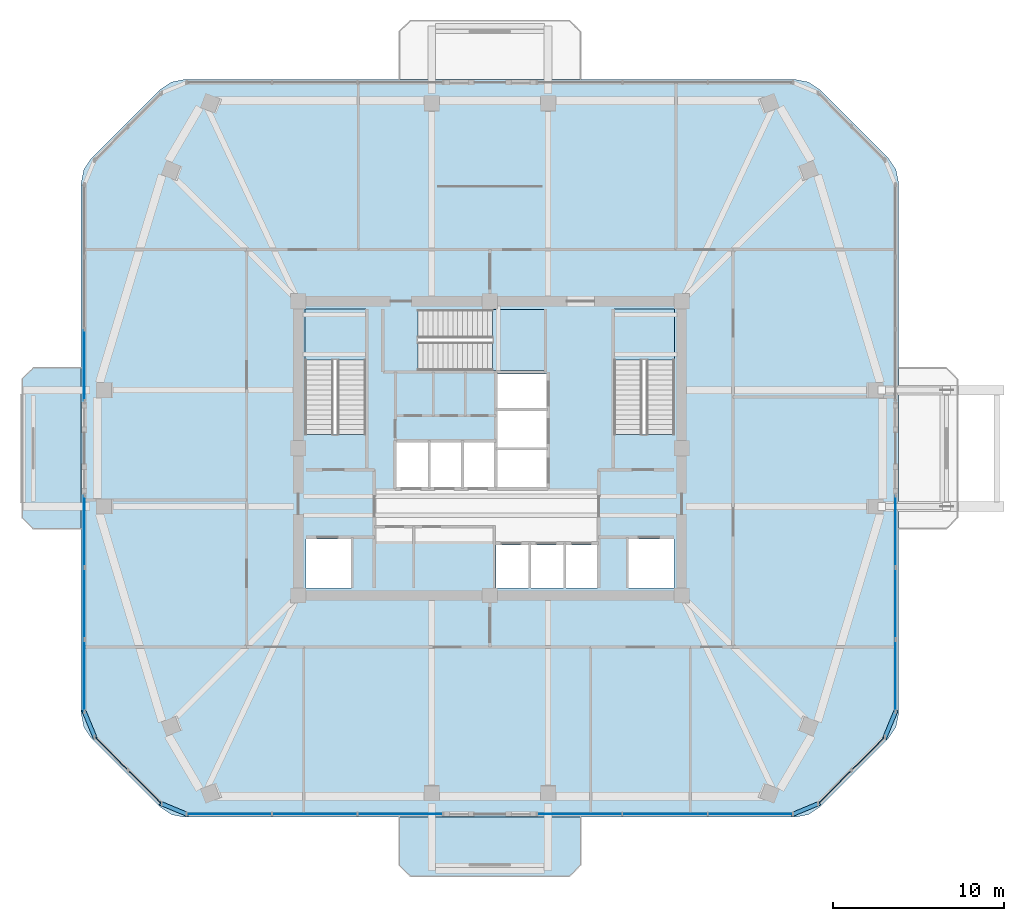
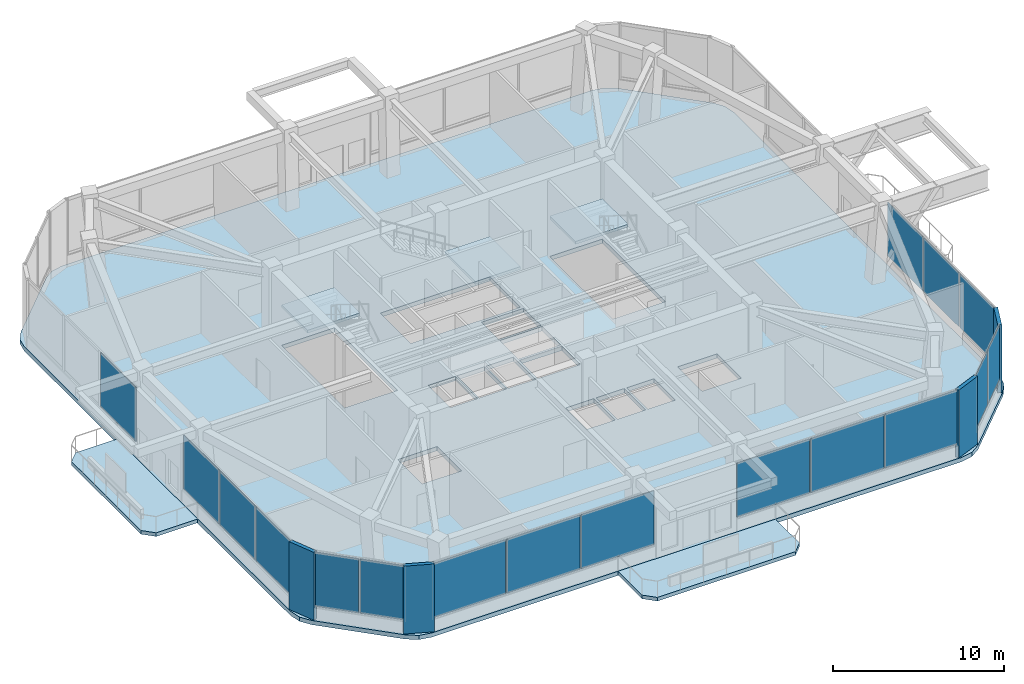
# One storey, part 6 of 14: 21 plates, 6 slabs, 10 elements without a shape of their own.
"""IFC4 building model written with IfcOpenShell, lengths in metres."""

from ifc_helpers import new_model, si_unit, derived_unit, direction, frame, origin, origin_2d, place, context, subcontext, project, spatial, polyline, rectangle, outline, extrude, material, layer, layer_set, type_object, element, aggregate, save


model = new_model("IFC4")

# Units and contexts
model_context = context("Model", 3, precision=1e-05, world=origin(), true_north=direction((0.0, 1.0)))
body_context = subcontext(model_context, "Body", "Model", "MODEL_VIEW")
ifc_project = project(units=[si_unit("LENGTHUNIT", "METRE"), si_unit("AREAUNIT", "SQUARE_METRE"), si_unit("VOLUMEUNIT", "CUBIC_METRE"), si_unit("PLANEANGLEUNIT", "RADIAN"), si_unit("MASSUNIT", "GRAM", prefix="KILO"), derived_unit("THERMALTRANSMITTANCEUNIT", [(si_unit("POWERUNIT", "WATT"), 1), (si_unit("LENGTHUNIT", "METRE"), -2), (si_unit("THERMODYNAMICTEMPERATUREUNIT", "KELVIN"), -1)])], contexts=[model_context])

# Site, building, storey
site_placement = place(None, origin())
site = spatial("IfcSite", under=ifc_project, at=site_placement, CompositionType="ELEMENT")
building_placement = place(site_placement, origin())
building = spatial("IfcBuilding", under=site, at=building_placement, Name="Koralith Skygarden Medical Center", CompositionType="ELEMENT")
storey_placement = place(building_placement, frame((0.0, 0.0, 182.699951171875)))
storey = spatial("IfcBuildingStorey", under=building, at=storey_placement, Name="L47", CompositionType="ELEMENT", Elevation=182.699951171875)

# Curtain wall, plates
ifc_material_1 = material(Name="Clear Laminated Glass", Category="glass")
curtain_wall_type = type_object("IfcCurtainWallType", Name="CW-7 Sky-Garden & Pool Conservatory Wall", PredefinedType="NOTDEFINED", material=ifc_material_1)
curtain_wall_1_placement = place(storey_placement, origin())
curtain_wall_1 = element("IfcCurtainWall", 1, at=curtain_wall_1_placement, inside=storey, type_object=curtain_wall_type, Name="Curtain Wall CW-L47-S-L", PredefinedType="NOTDEFINED")
ifc_layer_1 = layer(ifc_material_1, 0.0419921875)
ifc_layer_set_1 = layer_set([ifc_layer_1], Name="Clear Laminated Glass")
plate_type_1 = type_object("IfcPlateType", Name="CW-7 Hurricane Laminated IGU Panel 42", PredefinedType="CURTAIN_PANEL", material=ifc_layer_set_1)
plate_1_placement = place(storey_placement, frame((21.77490234375, 4.529052734375, 0.919921875), z_axis=(0.0, 0.0, 1.0), x_axis=(1.0, 0.0, 0.0)))
plate_1 = element("IfcPlate", 2, at=plate_1_placement, type_object=plate_type_1, Name="CW-L47-S-L Glazed Panel 1", PredefinedType="CURTAIN_PANEL", context=body_context, shape_type="SweptSolid", body=[
    extrude(rectangle(XDim=4.904052734375, YDim=0.0419921875, at=origin_2d()), origin(), (0.0, 0.0, 1.0), 3.840087890625),
])
plate_2_placement = place(storey_placement, frame((26.76806640625, 4.529052734375, 0.919921875), z_axis=(0.0, 0.0, 1.0), x_axis=(1.0, 0.0, 0.0)))
plate_2 = element("IfcPlate", 3, at=plate_2_placement, type_object=plate_type_1, Name="CW-L47-S-L Glazed Panel 2", PredefinedType="CURTAIN_PANEL", context=body_context, shape_type="SweptSolid", body=[
    extrude(rectangle(XDim=4.904052734375, YDim=0.0419921875, at=origin_2d()), origin(), (0.0, 0.0, 1.0), 3.840087890625),
])
plate_3_placement = place(storey_placement, frame((31.761962890625, 4.529052734375, 0.919921875), z_axis=(0.0, 0.0, 1.0), x_axis=(1.0, 0.0, 0.0)))
plate_3 = element("IfcPlate", 4, at=plate_3_placement, type_object=plate_type_1, Name="CW-L47-S-L Glazed Panel 3", PredefinedType="CURTAIN_PANEL", context=body_context, shape_type="SweptSolid", body=[
    extrude(rectangle(XDim=4.904052734375, YDim=0.0419921875, at=origin_2d()), origin(), (0.0, 0.0, 1.0), 3.840087890625),
])
aggregate(curtain_wall_1, [plate_1, plate_2, plate_3])

curtain_wall_2_placement = place(storey_placement, origin())
curtain_wall_2 = element("IfcCurtainWall", 5, at=curtain_wall_2_placement, inside=storey, type_object=curtain_wall_type, Name="Curtain Wall CW-L47-S-R", PredefinedType="NOTDEFINED")
plate_4_placement = place(storey_placement, frame((42.236083984375, 4.529052734375, 0.919921875), z_axis=(0.0, 0.0, 1.0), x_axis=(1.0, 0.0, 0.0)))
plate_4 = element("IfcPlate", 6, at=plate_4_placement, type_object=plate_type_1, Name="CW-L47-S-R Glazed Panel 1", PredefinedType="CURTAIN_PANEL", context=body_context, shape_type="SweptSolid", body=[
    extrude(rectangle(XDim=4.904052734375, YDim=0.0419921875, at=origin_2d()), origin(), (0.0, 0.0, 1.0), 3.840087890625),
])
plate_5_placement = place(storey_placement, frame((47.22998046875, 4.529052734375, 0.919921875), z_axis=(0.0, 0.0, 1.0), x_axis=(1.0, 0.0, 0.0)))
plate_5 = element("IfcPlate", 7, at=plate_5_placement, type_object=plate_type_1, Name="CW-L47-S-R Glazed Panel 2", PredefinedType="CURTAIN_PANEL", context=body_context, shape_type="SweptSolid", body=[
    extrude(rectangle(XDim=4.904052734375, YDim=0.0419921875, at=origin_2d()), origin(), (0.0, 0.0, 1.0), 3.840087890625),
])
plate_6_placement = place(storey_placement, frame((52.22509765625, 4.529052734375, 0.919921875), z_axis=(0.0, 0.0, 1.0), x_axis=(1.0, 0.0, 0.0)))
plate_6 = element("IfcPlate", 8, at=plate_6_placement, type_object=plate_type_1, Name="CW-L47-S-R Glazed Panel 3", PredefinedType="CURTAIN_PANEL", context=body_context, shape_type="SweptSolid", body=[
    extrude(rectangle(XDim=4.904052734375, YDim=0.0419921875, at=origin_2d()), origin(), (0.0, 0.0, 1.0), 3.840087890625),
])
aggregate(curtain_wall_2, [plate_4, plate_5, plate_6])

curtain_wall_3_placement = place(storey_placement, origin())
curtain_wall_3 = element("IfcCurtainWall", 9, at=curtain_wall_3_placement, inside=storey, type_object=curtain_wall_type, Name="Curtain Wall CW-L47-SE", PredefinedType="NOTDEFINED")
plate_7_placement = place(storey_placement, frame((57.154052734375, 6.112060546875, 0.919921875), z_axis=(0.0, 0.0, 1.0), x_axis=(0.707106781187, 0.707106781187, 0.0)))
plate_7 = element("IfcPlate", 10, at=plate_7_placement, type_object=plate_type_1, Name="CW-L47-SE Glazed Panel 1", PredefinedType="CURTAIN_PANEL", context=body_context, shape_type="SweptSolid", body=[
    extrude(rectangle(XDim=2.68408203125, YDim=0.0419921875, at=origin_2d()), origin(), (0.0, 0.0, 1.0), 3.840087890625),
])
plate_8_placement = place(storey_placement, frame((59.114990234375, 8.072998046875, 0.919921875), z_axis=(0.0, 0.0, 1.0), x_axis=(0.707106781187, 0.707106781187, 0.0)))
plate_8 = element("IfcPlate", 11, at=plate_8_placement, type_object=plate_type_1, Name="CW-L47-SE Glazed Panel 2", PredefinedType="CURTAIN_PANEL", context=body_context, shape_type="SweptSolid", body=[
    extrude(rectangle(XDim=2.68408203125, YDim=0.0419921875, at=origin_2d()), origin(), (0.0, 0.0, 1.0), 3.840087890625),
])
aggregate(curtain_wall_3, [plate_7, plate_8])

curtain_wall_4_placement = place(storey_placement, origin())
curtain_wall_4 = element("IfcCurtainWall", 12, at=curtain_wall_4_placement, inside=storey, type_object=curtain_wall_type, Name="Curtain Wall CW-L47-E-L", PredefinedType="NOTDEFINED")
plate_9_placement = place(storey_placement, frame((60.697021484375, 12.614013671875, 0.919921875), z_axis=(0.0, 0.0, 1.0), x_axis=(0.0, 1.0, 0.0)))
plate_9 = element("IfcPlate", 13, at=plate_9_placement, type_object=plate_type_1, Name="CW-L47-E-L Glazed Panel 1", PredefinedType="CURTAIN_PANEL", context=body_context, shape_type="SweptSolid", body=[
    extrude(rectangle(XDim=4.1279296875, YDim=0.0419921875, at=origin_2d()), origin(), (0.0, 0.0, 1.0), 3.840087890625),
])
plate_10_placement = place(storey_placement, frame((60.697021484375, 16.83203125, 0.919921875), z_axis=(0.0, 0.0, 1.0), x_axis=(0.0, 1.0, 0.0)))
plate_10 = element("IfcPlate", 14, at=plate_10_placement, type_object=plate_type_1, Name="CW-L47-E-L Glazed Panel 2", PredefinedType="CURTAIN_PANEL", context=body_context, shape_type="SweptSolid", body=[
    extrude(rectangle(XDim=4.1279296875, YDim=0.0419921875, at=origin_2d()), origin(), (0.0, 0.0, 1.0), 3.840087890625),
])
plate_11_placement = place(storey_placement, frame((60.697021484375, 21.051025390625, 0.919921875), z_axis=(0.0, 0.0, 1.0), x_axis=(0.0, 1.0, 0.0)))
plate_11 = element("IfcPlate", 15, at=plate_11_placement, type_object=plate_type_1, Name="CW-L47-E-L Glazed Panel 3", PredefinedType="CURTAIN_PANEL", context=body_context, shape_type="SweptSolid", body=[
    extrude(rectangle(XDim=4.1279296875, YDim=0.0419921875, at=origin_2d()), origin(), (0.0, 0.0, 1.0), 3.840087890625),
])
aggregate(curtain_wall_4, [plate_9, plate_10, plate_11])

# Curtain wall, plate
curtain_wall_5_placement = place(storey_placement, origin())
curtain_wall_5 = element("IfcCurtainWall", 16, at=curtain_wall_5_placement, inside=storey, type_object=curtain_wall_type, Name="Curtain Wall CW-L47-W-L", PredefinedType="NOTDEFINED")
plate_12_placement = place(storey_placement, frame((13.302978515625, 30.7490234375, 0.919921875), z_axis=(0.0, 0.0, 1.0), x_axis=(0.0, -1.0, 0.0)))
plate_12 = element("IfcPlate", 17, at=plate_12_placement, type_object=plate_type_1, Name="CW-L47-W-L Glazed Panel 3", PredefinedType="CURTAIN_PANEL", context=body_context, shape_type="SweptSolid", body=[
    extrude(rectangle(XDim=4.1279296875, YDim=0.0419921875, at=origin_2d()), origin(), (0.0, 0.0, 1.0), 3.840087890625),
])
aggregate(curtain_wall_5, [plate_12])

# Curtain wall, plates
curtain_wall_6_placement = place(storey_placement, origin())
curtain_wall_6 = element("IfcCurtainWall", 18, at=curtain_wall_6_placement, inside=storey, type_object=curtain_wall_type, Name="Curtain Wall CW-L47-W-R", PredefinedType="NOTDEFINED")
plate_13_placement = place(storey_placement, frame((13.302978515625, 21.051025390625, 0.919921875), z_axis=(0.0, 0.0, 1.0), x_axis=(0.0, -1.0, 0.0)))
plate_13 = element("IfcPlate", 19, at=plate_13_placement, type_object=plate_type_1, Name="CW-L47-W-R Glazed Panel 1", PredefinedType="CURTAIN_PANEL", context=body_context, shape_type="SweptSolid", body=[
    extrude(rectangle(XDim=4.1279296875, YDim=0.0419921875, at=origin_2d()), origin(), (0.0, 0.0, 1.0), 3.840087890625),
])
plate_14_placement = place(storey_placement, frame((13.302978515625, 16.8330078125, 0.919921875), z_axis=(0.0, 0.0, 1.0), x_axis=(0.0, -1.0, 0.0)))
plate_14 = element("IfcPlate", 20, at=plate_14_placement, type_object=plate_type_1, Name="CW-L47-W-R Glazed Panel 2", PredefinedType="CURTAIN_PANEL", context=body_context, shape_type="SweptSolid", body=[
    extrude(rectangle(XDim=4.1279296875, YDim=0.0419921875, at=origin_2d()), origin(), (0.0, 0.0, 1.0), 3.840087890625),
])
plate_15_placement = place(storey_placement, frame((13.302978515625, 12.614013671875, 0.919921875), z_axis=(0.0, 0.0, 1.0), x_axis=(0.0, -1.0, 0.0)))
plate_15 = element("IfcPlate", 21, at=plate_15_placement, type_object=plate_type_1, Name="CW-L47-W-R Glazed Panel 3", PredefinedType="CURTAIN_PANEL", context=body_context, shape_type="SweptSolid", body=[
    extrude(rectangle(XDim=4.1279296875, YDim=0.0419921875, at=origin_2d()), origin(), (0.0, 0.0, 1.0), 3.840087890625),
])
aggregate(curtain_wall_6, [plate_13, plate_14, plate_15])

curtain_wall_7_placement = place(storey_placement, origin())
curtain_wall_7 = element("IfcCurtainWall", 22, at=curtain_wall_7_placement, inside=storey, type_object=curtain_wall_type, Name="Curtain Wall CW-L47-SW", PredefinedType="NOTDEFINED")
plate_16_placement = place(storey_placement, frame((14.885009765625, 8.072998046875, 0.919921875), z_axis=(0.0, 0.0, 1.0), x_axis=(0.707106781187, -0.707106781187, 0.0)))
plate_16 = element("IfcPlate", 23, at=plate_16_placement, type_object=plate_type_1, Name="CW-L47-SW Glazed Panel 1", PredefinedType="CURTAIN_PANEL", context=body_context, shape_type="SweptSolid", body=[
    extrude(rectangle(XDim=2.68408203125, YDim=0.0419921875, at=origin_2d()), origin(), (0.0, 0.0, 1.0), 3.840087890625),
])
plate_17_placement = place(storey_placement, frame((16.845947265625, 6.112060546875, 0.919921875), z_axis=(0.0, 0.0, 1.0), x_axis=(0.707106781187, -0.707106781187, 0.0)))
plate_17 = element("IfcPlate", 24, at=plate_17_placement, type_object=plate_type_1, Name="CW-L47-SW Glazed Panel 2", PredefinedType="CURTAIN_PANEL", context=body_context, shape_type="SweptSolid", body=[
    extrude(rectangle(XDim=2.68408203125, YDim=0.0419921875, at=origin_2d()), origin(), (0.0, 0.0, 1.0), 3.840087890625),
])
aggregate(curtain_wall_7, [plate_16, plate_17])

# Slabs
ifc_material_2 = material(Name="Concrete C45/55", Category="concrete")
ifc_layer_2 = layer(ifc_material_2, 0.260009765625)
ifc_layer_set_2 = layer_set([ifc_layer_2], Name="Concrete C45/55")
slab_type_1 = type_object("IfcSlabType", Name="Cantilevered Planted Balcony Slab 260", PredefinedType="FLOOR", material=ifc_layer_set_2)
slab_1_placement = place(storey_placement, frame((0.0, 0.0, -0.260009765625)))
element("IfcSlab", 25, at=slab_1_placement, inside=storey, type_object=slab_type_1, Name="L47 S Planted Sky-Garden Balcony Slab", PredefinedType="FLOOR", context=body_context, shape_type="SweptSolid", body=[
    extrude(outline(polyline([(32.35009765625, 0.89892578125), (41.64990234375, 0.89892578125), (42.300048828125, 1.549072265625), (42.300048828125, 4.34912109375), (31.699951171875, 4.34912109375), (31.699951171875, 1.549072265625), (32.35009765625, 0.89892578125)])), origin(), (0.0, 0.0, 1.0), 0.260009765625),
])
slab_2_placement = place(storey_placement, frame((0.0, 0.0, -0.260009765625)))
element("IfcSlab", 26, at=slab_2_placement, inside=storey, type_object=slab_type_1, Name="L47 W Planted Sky-Garden Balcony Slab", PredefinedType="FLOOR", context=body_context, shape_type="SweptSolid", body=[
    extrude(outline(polyline([(10.322998046875, 21.199951171875), (13.123046875, 21.199951171875), (13.123046875, 30.60009765625), (10.322998046875, 30.60009765625), (9.673095703125, 29.949951171875), (9.673095703125, 21.85009765625), (10.322998046875, 21.199951171875)])), origin(), (0.0, 0.0, 1.0), 0.260009765625),
])

# Stair, slab
stair_type = type_object("IfcStairType", Name="Core Exit Dogleg Concrete Stair", PredefinedType="HALF_TURN_STAIR", material=ifc_material_2)
stair_1_placement = place(storey_placement, origin())
stair_1 = element("IfcStair", 27, at=stair_1_placement, inside=storey, type_object=stair_type, Name="L47 Smokeproof Exit Stair ST1", PredefinedType="HALF_TURN_STAIR")
ifc_layer_3 = layer(ifc_material_2, 0.199951171875)
ifc_layer_set_3 = layer_set([ifc_layer_3], Name="Concrete C45/55")
slab_type_2 = type_object("IfcSlabType", Name="Core Exit Concrete Stair Landing 200", PredefinedType="LANDING", material=ifc_layer_set_3)
slab_3_placement = place(storey_placement, frame((0.0, 0.0, 2.679931640625)))
slab_3 = element("IfcSlab", 28, at=slab_3_placement, type_object=slab_type_2, Name="ST1 landing 1", PredefinedType="LANDING", context=body_context, shape_type="SweptSolid", body=[
    extrude(outline(polyline([(29.75, 31.050048828125), (29.75, 34.050048828125), (26.199951171875, 34.050048828125), (26.199951171875, 31.050048828125), (29.75, 31.050048828125)])), origin(), (0.0, 0.0, 1.0), 0.2001953125),
])
aggregate(stair_1, [slab_3])

stair_2_placement = place(storey_placement, origin())
stair_2 = element("IfcStair", 29, at=stair_2_placement, inside=storey, type_object=stair_type, Name="L47 Smokeproof Exit Stair ST2", PredefinedType="HALF_TURN_STAIR")
slab_4_placement = place(storey_placement, frame((0.0, 0.0, 2.679931640625)))
slab_4 = element("IfcSlab", 30, at=slab_4_placement, type_object=slab_type_2, Name="ST2 landing 1", PredefinedType="LANDING", context=body_context, shape_type="SweptSolid", body=[
    extrude(outline(polyline([(47.800048828125, 31.050048828125), (47.800048828125, 34.050048828125), (44.25, 34.050048828125), (44.25, 31.050048828125), (47.800048828125, 31.050048828125)])), origin(), (0.0, 0.0, 1.0), 0.2001953125),
])
aggregate(stair_2, [slab_4])

stair_3_placement = place(storey_placement, origin())
stair_3 = element("IfcStair", 31, at=stair_3_placement, inside=storey, type_object=stair_type, Name="L47 Smokeproof Exit Stair ST3", PredefinedType="HALF_TURN_STAIR")
slab_5_placement = place(storey_placement, frame((0.0, 0.0, 2.679931640625)))
slab_5 = element("IfcSlab", 32, at=slab_5_placement, type_object=slab_type_2, Name="ST3 landing 1", PredefinedType="LANDING", context=body_context, shape_type="SweptSolid", body=[
    extrude(outline(polyline([(37.14990234375, 30.449951171875), (40.199951171875, 30.449951171875), (40.199951171875, 34.0), (37.14990234375, 34.0), (37.14990234375, 30.449951171875)])), origin(), (0.0, 0.0, 1.0), 0.2001953125),
])
aggregate(stair_3, [slab_5])

# Slab
ifc_layer_4 = layer(ifc_material_2, 0.300048828125)
ifc_layer_set_4 = layer_set([ifc_layer_4], Name="Concrete C45/55")
slab_type_3 = type_object("IfcSlabType", Name="Podium & Diagnostic Stiffened Slab 300", PredefinedType="FLOOR", material=ifc_layer_set_4)
slab_6_placement = place(storey_placement, frame((0.0, 0.0, -0.300048828125)))
element("IfcSlab", 33, at=slab_6_placement, inside=storey, type_object=slab_type_3, Name="Level L47 Structural Floor Slab", PredefinedType="FLOOR", context=body_context, shape_type="SweptSolid", body=[
    extrude(outline(polyline([(17.737060546875, 4.93505859375), (18.385986328125, 4.501953125), (19.15087890625, 4.34912109375), (54.84912109375, 4.34912109375), (55.614013671875, 4.501953125), (56.262939453125, 4.93505859375), (60.291015625, 8.964111328125), (60.72509765625, 9.613037109375), (60.876953125, 10.3779296875), (60.876953125, 41.422119140625), (60.72509765625, 42.18701171875), (60.291015625, 42.8359375), (56.262939453125, 46.864990234375), (55.614013671875, 47.298095703125), (54.84912109375, 47.449951171875), (19.15087890625, 47.449951171875), (18.385986328125, 47.298095703125), (17.737060546875, 46.864990234375), (13.708984375, 42.8359375), (13.27490234375, 42.18701171875), (13.123046875, 41.422119140625), (13.123046875, 10.3779296875), (13.27490234375, 9.613037109375), (13.708984375, 8.964111328125), (17.737060546875, 4.93505859375)]), holes=[polyline([(26.199951171875, 26.705078125), (29.75, 26.705078125), (29.75, 34.050048828125), (26.199951171875, 34.050048828125), (26.199951171875, 26.705078125)]), polyline([(44.25, 26.705078125), (47.800048828125, 26.705078125), (47.800048828125, 34.050048828125), (44.25, 34.050048828125), (44.25, 26.705078125)]), polyline([(32.804931640625, 30.449951171875), (40.199951171875, 30.449951171875), (40.199951171875, 34.0), (32.804931640625, 34.0), (32.804931640625, 30.449951171875)]), polyline([(26.25, 17.75), (28.89990234375, 17.75), (28.89990234375, 20.60009765625), (26.25, 20.60009765625), (26.25, 17.75)]), polyline([(45.10009765625, 17.75), (47.75, 17.75), (47.75, 20.60009765625), (45.10009765625, 20.60009765625), (45.10009765625, 17.75)]), polyline([(37.35009765625, 17.75), (39.25, 17.75), (39.25, 20.25), (37.35009765625, 20.25), (37.35009765625, 17.75)]), polyline([(39.39990234375, 17.75), (41.300048828125, 17.75), (41.300048828125, 20.25), (39.39990234375, 20.25), (39.39990234375, 17.75)]), polyline([(41.449951171875, 17.75), (43.300048828125, 17.75), (43.300048828125, 20.25), (41.449951171875, 20.25), (41.449951171875, 17.75)]), polyline([(31.550048828125, 23.64990234375), (33.39990234375, 23.64990234375), (33.39990234375, 26.25), (31.550048828125, 26.25), (31.550048828125, 23.64990234375)]), polyline([(33.5, 23.64990234375), (35.35009765625, 23.64990234375), (35.35009765625, 26.25), (33.5, 26.25), (33.5, 23.64990234375)]), polyline([(35.449951171875, 23.64990234375), (37.300048828125, 23.64990234375), (37.300048828125, 26.25), (35.449951171875, 26.25), (35.449951171875, 23.64990234375)]), polyline([(37.449951171875, 23.64990234375), (40.300048828125, 23.64990234375), (40.300048828125, 25.800048828125), (37.449951171875, 25.800048828125), (37.449951171875, 23.64990234375)]), polyline([(37.449951171875, 25.949951171875), (40.300048828125, 25.949951171875), (40.300048828125, 28.10009765625), (37.449951171875, 28.10009765625), (37.449951171875, 25.949951171875)]), polyline([(37.449951171875, 28.25), (40.300048828125, 28.25), (40.300048828125, 30.25), (37.449951171875, 30.25), (37.449951171875, 28.25)])]), origin(), (0.0, 0.0, 1.0), 0.300048828125),
])

# Plates
ifc_material_3 = material(Name="Warm Oolitic Limestone Cladding", Category="masonry")
ifc_layer_5 = layer(ifc_material_3, 0.239990234375)
ifc_layer_set_5 = layer_set([ifc_layer_5], Name="Warm Oolitic Limestone Cladding")
plate_type_2 = type_object("IfcPlateType", Name="Rounded-Corner Oolitic Limestone Cladding Panel 240", PredefinedType="USERDEFINED", material=ifc_layer_set_5)
for number, where, z_axis, x_axis, name in (
    (34, (55.447998046875, 4.830078125, 0.0), (0.0, 0.0, 1.0), (0.923659638286, 0.383213873184, 0.0), "L47 Rounded-Corner Limestone Pier 1"),
    (35, (60.39697265625, 9.780029296875, 0.0), (0.0, 0.0, 1.0), (0.382670532536, 0.92388487569, 0.0), "L47 Rounded-Corner Limestone Pier 2"),
    (36, (13.60400390625, 9.780029296875, 0.0), (0.0, 0.0, 1.0), (0.382670532536, -0.92388487569, 0.0), "L47 Rounded-Corner Limestone Pier 7"),
    (37, (18.552978515625, 4.830078125, 0.0), (0.0, 0.0, 1.0), (0.923659638286, -0.383213873184, 0.0), "L47 Rounded-Corner Limestone Pier 8"),
):
    element("IfcPlate", number, at=place(storey_placement, frame(where, z_axis=z_axis, x_axis=x_axis)), inside=storey, type_object=plate_type_2, Name=name, ObjectType="LIMESTONE CLADDING", PredefinedType="USERDEFINED", context=body_context, shape_type="SweptSolid", body=[
        extrude(rectangle(XDim=1.81103515625, YDim=0.239990234375, at=origin_2d()), origin(), (0.0, 0.0, 1.0), 4.830078125),
    ])

save(model, "model.ifc")
